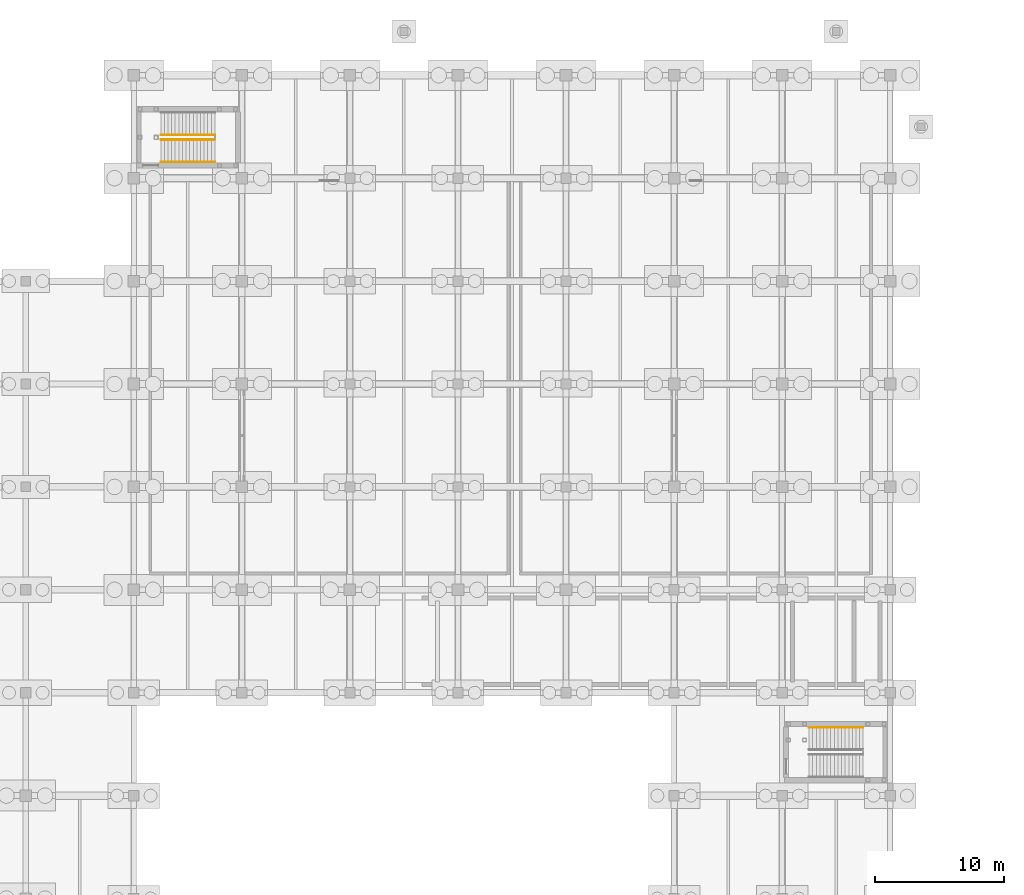
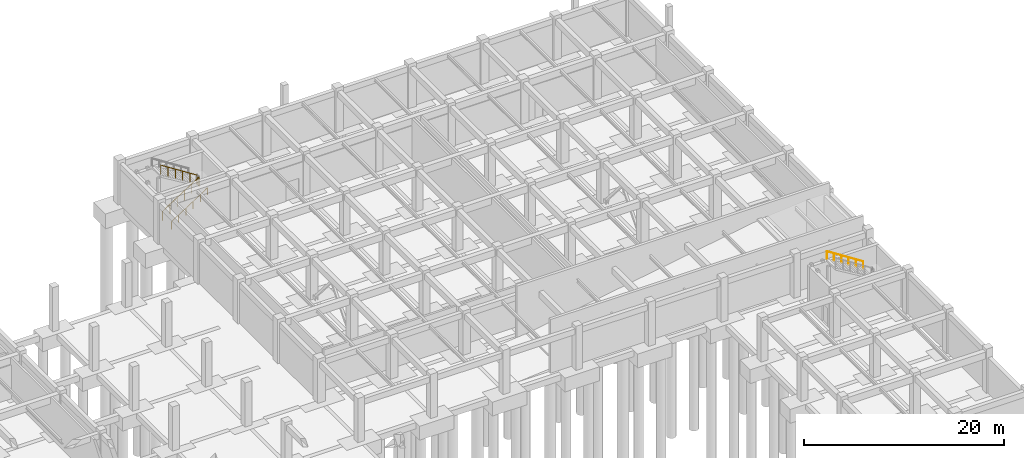
# One storey, part 53 of 56: 4 railings.
"""IFC4 building model written with IfcOpenShell, lengths in metres."""

from ifc_helpers import new_model, si_unit, direction, frame, origin, origin_2d, place, context, subcontext, project, spatial, circle, extrude, material, layer, layer_set, type_object, element, save


model = new_model("IFC4")

# Units and contexts
model_context = context("Model", 3, precision=1e-05, world=origin(), true_north=direction((0.0, 1.0)))
body_context = subcontext(model_context, "Body", "Model", "MODEL_VIEW")
ifc_project = project(units=[si_unit("LENGTHUNIT", "METRE"), si_unit("AREAUNIT", "SQUARE_METRE"), si_unit("VOLUMEUNIT", "CUBIC_METRE"), si_unit("PLANEANGLEUNIT", "RADIAN"), si_unit("MASSUNIT", "GRAM", prefix="KILO")], contexts=[model_context])

# Site, building, storey
site_placement = place(None, origin())
site = spatial("IfcSite", under=ifc_project, at=site_placement, CompositionType="ELEMENT")
building_placement = place(site_placement, origin())
building = spatial("IfcBuilding", under=site, at=building_placement, Name="Naruveol Harbour Congress Hotel", CompositionType="ELEMENT")
storey_placement = place(building_placement, frame((0.0, 0.0, -5.39990234375)))
storey = spatial("IfcBuildingStorey", under=building, at=storey_placement, Name="B01", CompositionType="ELEMENT", Elevation=-5.39990234375)

# Railings
ifc_material_1 = material(Name="Stainless Steel 304", Category="steel")
ifc_layer_1 = layer(ifc_material_1, 0.0419921875)
ifc_layer_set_1 = layer_set([ifc_layer_1], Name="Stainless Steel 304")
railing_type_1 = type_object("IfcRailingType", Name="STAIR WALL MOUNTED HANDRAIL 900", PredefinedType="HANDRAIL", material=ifc_layer_set_1)
railing_1_placement = place(storey_placement, frame((69.300048828125, 105.260009765625, 0.0)))
element("IfcRailing", 1, at=railing_1_placement, inside=storey, type_object=railing_type_1, Name="Stair ST8 B01 lower wall handrail", PredefinedType="HANDRAIL", context=body_context, shape_type="SweptSolid", body=[
    extrude(circle(Radius=0.02392578125, at=origin_2d()), frame((0.0, 0.0, 0.8759765625), z_axis=(0.841180064094, 0.0, 0.540755119968), x_axis=(0.0, 1.0, 0.0)), (0.0, 0.0, 1.0), 4.992919921875),
    extrude(circle(Radius=0.02099609375, at=origin_2d()), origin(), (0.0, 0.0, 1.0), 0.851806640625),
    extrude(circle(Radius=0.02099609375, at=origin_2d()), frame((0.840087890625, 0.0, 0.5400390625)), (0.0, 0.0, 1.0), 0.851806640625),
    extrude(circle(Radius=0.02099609375, at=origin_2d()), frame((1.679931640625, 0.0, 1.080078125)), (0.0, 0.0, 1.0), 0.851806640625),
    extrude(circle(Radius=0.02099609375, at=origin_2d()), frame((2.52001953125, 0.0, 1.619873046875)), (0.0, 0.0, 1.0), 0.851806640625),
    extrude(circle(Radius=0.02099609375, at=origin_2d()), frame((3.35986328125, 0.0, 2.159912109375)), (0.0, 0.0, 1.0), 0.851806640625),
    extrude(circle(Radius=0.02099609375, at=origin_2d()), frame((4.199951171875, 0.0, 2.699951171875)), (0.0, 0.0, 1.0), 0.851806640625),
])
railing_2_placement = place(storey_placement, frame((123.89990234375, 61.300048828125, 2.699951171875)))
element("IfcRailing", 2, at=railing_2_placement, inside=storey, type_object=railing_type_1, Name="Stair ST9 B01 upper wall handrail", PredefinedType="HANDRAIL", context=body_context, shape_type="SweptSolid", body=[
    extrude(circle(Radius=0.02392578125, at=origin_2d()), frame((0.0, 0.0, 0.8759765625), z_axis=(-0.841180064094, 0.0, 0.540755119968), x_axis=(0.0, -1.0, 0.0)), (0.0, 0.0, 1.0), 4.992919921875),
    extrude(circle(Radius=0.02099609375, at=origin_2d()), origin(), (0.0, 0.0, 1.0), 0.851806640625),
    extrude(circle(Radius=0.02099609375, at=origin_2d()), frame((-0.840087890625, 0.0, 0.5400390625)), (0.0, 0.0, 1.0), 0.851806640625),
    extrude(circle(Radius=0.02099609375, at=origin_2d()), frame((-1.679931640625, 0.0, 1.080078125)), (0.0, 0.0, 1.0), 0.851806640625),
    extrude(circle(Radius=0.02099609375, at=origin_2d()), frame((-2.52001953125, 0.0, 1.619873046875)), (0.0, 0.0, 1.0), 0.851806640625),
    extrude(circle(Radius=0.02099609375, at=origin_2d()), frame((-3.35986328125, 0.0, 2.159912109375)), (0.0, 0.0, 1.0), 0.851806640625),
    extrude(circle(Radius=0.02099609375, at=origin_2d()), frame((-4.199951171875, 0.0, 2.699951171875)), (0.0, 0.0, 1.0), 0.851806640625),
])
ifc_material_2 = material(Name="Steel SN490", Category="steel")
ifc_layer_2 = layer(ifc_material_2, 0.044921875)
ifc_layer_set_2 = layer_set([ifc_layer_2], Name="Steel SN490")
railing_type_2 = type_object("IfcRailingType", Name="STAIRWELL STEEL GUARDRAIL 1150", PredefinedType="GUARDRAIL", material=ifc_layer_set_2)
railing_3_placement = place(storey_placement, frame((69.300048828125, 106.989990234375, 0.0)))
element("IfcRailing", 3, at=railing_3_placement, inside=storey, type_object=railing_type_2, Name="Stair ST8 B01 lower well guard", PredefinedType="GUARDRAIL", context=body_context, shape_type="SweptSolid", body=[
    extrude(circle(Radius=0.02392578125, at=origin_2d()), frame((0.0, 0.0, 1.1259765625), z_axis=(0.841180064094, 0.0, 0.540755119968), x_axis=(0.0, 1.0, 0.0)), (0.0, 0.0, 1.0), 4.992919921875),
    extrude(circle(Radius=0.02099609375, at=origin_2d()), origin(), (0.0, 0.0, 1.0), 1.101806640625),
    extrude(circle(Radius=0.02099609375, at=origin_2d()), frame((0.840087890625, 0.0, 0.5400390625)), (0.0, 0.0, 1.0), 1.101806640625),
    extrude(circle(Radius=0.02099609375, at=origin_2d()), frame((1.679931640625, 0.0, 1.080078125)), (0.0, 0.0, 1.0), 1.101806640625),
    extrude(circle(Radius=0.02099609375, at=origin_2d()), frame((2.52001953125, 0.0, 1.619873046875)), (0.0, 0.0, 1.0), 1.101806640625),
    extrude(circle(Radius=0.02099609375, at=origin_2d()), frame((3.35986328125, 0.0, 2.159912109375)), (0.0, 0.0, 1.0), 1.101806640625),
    extrude(circle(Radius=0.02099609375, at=origin_2d()), frame((4.199951171875, 0.0, 2.699951171875)), (0.0, 0.0, 1.0), 1.101806640625),
])
railing_4_placement = place(storey_placement, frame((73.5, 107.3701171875, 2.699951171875)))
element("IfcRailing", 4, at=railing_4_placement, inside=storey, type_object=railing_type_2, Name="Stair ST8 B01 upper well guard", PredefinedType="GUARDRAIL", context=body_context, shape_type="SweptSolid", body=[
    extrude(circle(Radius=0.02392578125, at=origin_2d()), frame((0.0, 0.0, 1.1259765625), z_axis=(-0.841180064094, 0.0, 0.540755119968), x_axis=(0.0, -1.0, 0.0)), (0.0, 0.0, 1.0), 4.992919921875),
    extrude(circle(Radius=0.02099609375, at=origin_2d()), origin(), (0.0, 0.0, 1.0), 1.101806640625),
    extrude(circle(Radius=0.02099609375, at=origin_2d()), frame((-0.840087890625, 0.0, 0.5400390625)), (0.0, 0.0, 1.0), 1.101806640625),
    extrude(circle(Radius=0.02099609375, at=origin_2d()), frame((-1.679931640625, 0.0, 1.080078125)), (0.0, 0.0, 1.0), 1.101806640625),
    extrude(circle(Radius=0.02099609375, at=origin_2d()), frame((-2.52001953125, 0.0, 1.619873046875)), (0.0, 0.0, 1.0), 1.101806640625),
    extrude(circle(Radius=0.02099609375, at=origin_2d()), frame((-3.35986328125, 0.0, 2.159912109375)), (0.0, 0.0, 1.0), 1.101806640625),
    extrude(circle(Radius=0.02099609375, at=origin_2d()), frame((-4.199951171875, 0.0, 2.699951171875)), (0.0, 0.0, 1.0), 1.101806640625),
])

save(model, "model.ifc")
